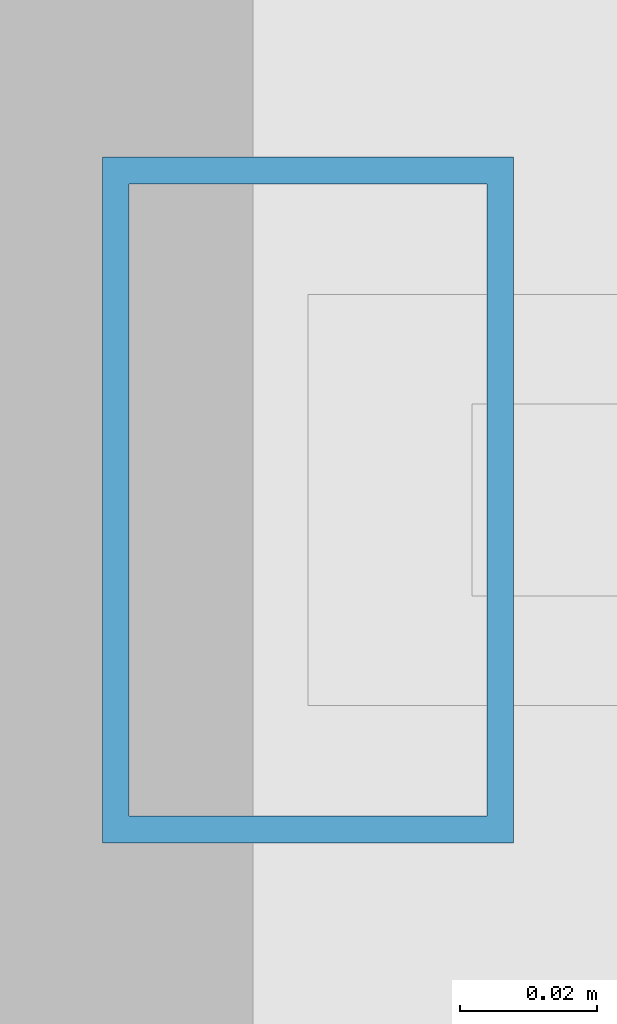
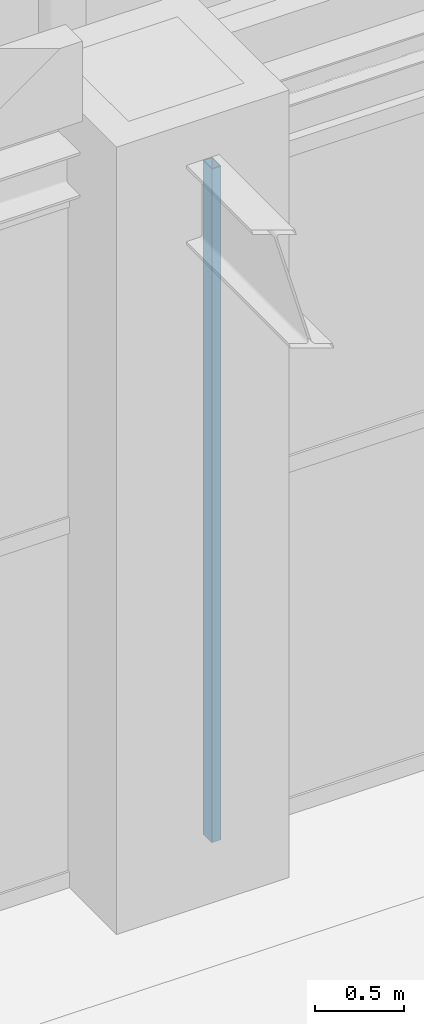
# One storey, part 51 of 164: 1 member, 1 element without a shape of its own.
"""IFC4 building model written with IfcOpenShell, lengths in metres."""

from ifc_helpers import new_model, si_unit, direction, frame, origin, origin_2d, place, context, subcontext, project, spatial, hollow_rectangle, extrude, material, material_profile, profile_set, type_object, element, aggregate, save


model = new_model("IFC4")

# Units and contexts
model_context = context("Model", 3, precision=1e-05, world=origin(), true_north=direction((0.0, 1.0)))
body_context = subcontext(model_context, "Body", "Model", "MODEL_VIEW")
ifc_project = project(units=[si_unit("LENGTHUNIT", "METRE"), si_unit("AREAUNIT", "SQUARE_METRE"), si_unit("VOLUMEUNIT", "CUBIC_METRE"), si_unit("PLANEANGLEUNIT", "RADIAN"), si_unit("MASSUNIT", "GRAM", prefix="KILO")], contexts=[model_context])

# Site, building, storey
site_placement = place(None, origin())
site = spatial("IfcSite", under=ifc_project, at=site_placement, CompositionType="ELEMENT")
building_placement = place(site_placement, origin())
building = spatial("IfcBuilding", under=site, at=building_placement, Name="Mavantir Sound Aquarium", CompositionType="ELEMENT")
storey_placement = place(building_placement, origin())
storey = spatial("IfcBuildingStorey", under=building, at=storey_placement, Name="L00", CompositionType="ELEMENT", Elevation=0.0)

# Curtain wall, member
ifc_material_1 = material(Name="Anodised Marine Aluminium and Low-E Glass", Category="aluminium")
curtain_wall_type = type_object("IfcCurtainWallType", Name="CW-T03", PredefinedType="USERDEFINED", material=ifc_material_1)
curtain_wall_placement = place(storey_placement, origin())
curtain_wall = element("IfcCurtainWall", 1, at=curtain_wall_placement, inside=storey, type_object=curtain_wall_type, Name="L00 unitised curtain wall CW-03 51", ObjectType="UNITISED GLAZING", PredefinedType="USERDEFINED")
ifc_material_2 = material(Name="Anodised Marine Aluminium 6063-T6", Category="aluminium")
ifc_material_profile = material_profile(ifc_material_2, hollow_rectangle(XDim=0.06005859375, YDim=0.10009765625, WallThickness=0.00390625, at=origin_2d()), Name="ALU-MULLION-100X60")
ifc_profile_set = profile_set([ifc_material_profile], Name="Anodised Marine Aluminium 6063-T6")
member_type = type_object("IfcMemberType", Name="CW-MUL-100", PredefinedType="MULLION", material=ifc_profile_set)
member_placement = place(storey_placement, frame((127.5830078125, 28.800048828125, 0.0), z_axis=(0.0, 0.0, 1.0), x_axis=(1.0, 0.0, 0.0)))
member = element("IfcMember", 2, at=member_placement, type_object=member_type, Name="CW-L00-051 vertical mullion 7", PredefinedType="MULLION", context=body_context, shape_type="SweptSolid", body=[
    extrude(hollow_rectangle(XDim=0.06005859375, YDim=0.10009765625, WallThickness=0.00390625, at=origin_2d()), origin(), (0.0, 0.0, 1.0), 4.62109375),
])
aggregate(curtain_wall, [member])

save(model, "model.ifc")
